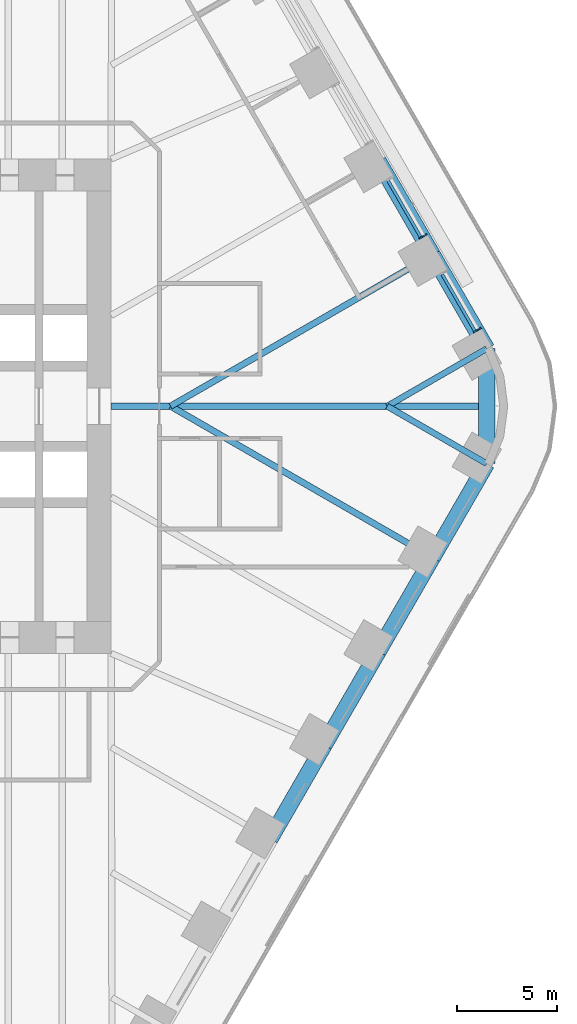
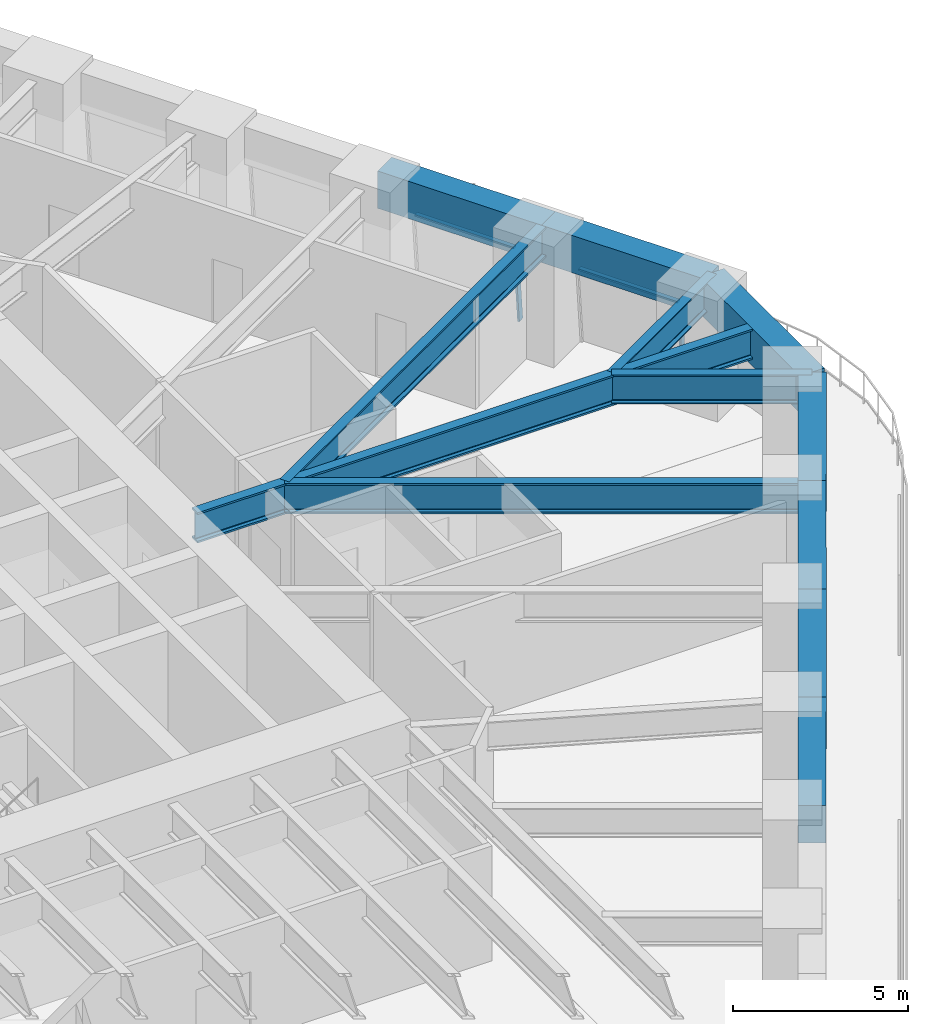
# One storey, part 12 of 24: 12 beams, 4 members, 2 elements without a shape of their own.
"""IFC4 building model written with IfcOpenShell, lengths in metres."""

from ifc_helpers import new_model, si_unit, direction, frame, origin, origin_2d, place, context, subcontext, project, spatial, rectangle, i_section, extrude, material, material_profile, profile_set, type_object, element, aggregate, save


model = new_model("IFC4")

# Units and contexts
model_context = context("Model", 3, precision=1e-05, world=origin(), true_north=direction((0.0, 1.0)))
body_context = subcontext(model_context, "Body", "Model", "MODEL_VIEW")
ifc_project = project(units=[si_unit("LENGTHUNIT", "METRE"), si_unit("AREAUNIT", "SQUARE_METRE"), si_unit("VOLUMEUNIT", "CUBIC_METRE"), si_unit("PLANEANGLEUNIT", "RADIAN"), si_unit("MASSUNIT", "GRAM", prefix="KILO")], contexts=[model_context])

# Site, building, storey
site_placement = place(None, origin())
site = spatial("IfcSite", under=ifc_project, at=site_placement, CompositionType="ELEMENT")
building_placement = place(site_placement, origin())
building = spatial("IfcBuilding", under=site, at=building_placement, Name="Tarfa Lantern Tower", CompositionType="ELEMENT")
storey_placement = place(building_placement, frame((0.0, 0.0, 69.699951171875)))
storey = spatial("IfcBuildingStorey", under=building, at=storey_placement, Name="L15", CompositionType="ELEMENT", Elevation=69.699951171875)

# Curtain wall, member
ifc_material_1 = material(Name="Aluminium framed curtain wall", Category="aluminium")
curtain_wall_type = type_object("IfcCurtainWallType", Name="CW1 CANTED GLAZING LOW ZONE 2700", PredefinedType="USERDEFINED", material=ifc_material_1)
curtain_wall_1_placement = place(storey_placement, origin())
curtain_wall_1 = element("IfcCurtainWall", 1, at=curtain_wall_1_placement, inside=storey, type_object=curtain_wall_type, Name="CW1 NE L15", ObjectType="CURTAIN WALL", PredefinedType="USERDEFINED")
ifc_material_2 = material(Name="Aluminium mullion", Category="aluminium")
ifc_material_profile_1 = material_profile(ifc_material_2, rectangle(XDim=0.06494140625, YDim=0.199951171875, at=origin_2d()), Name="AL MULLION 65x200")
ifc_profile_set_1 = profile_set([ifc_material_profile_1], Name="Aluminium mullion")
member_type_1 = type_object("IfcMemberType", Name="CWM1 MULLION 65x200", PredefinedType="MULLION", material=ifc_profile_set_1)
member_1_placement = place(storey_placement, frame((36.9248046875, 3.84423828125, 0.0), z_axis=(-0.079774955866, -0.04610020023, 0.995746317068), x_axis=(0.500342721131, -0.865827443207, 0.0)))
member_1 = element("IfcMember", 2, at=member_1_placement, type_object=member_type_1, Name="CW1 mullion 1", PredefinedType="MULLION", context=body_context, shape_type="SweptSolid", body=[
    extrude(rectangle(XDim=0.06494140625, YDim=0.199951171875, at=origin_2d()), origin(), (0.0, 0.0, 1.0), 2.71142578125),
])

curtain_wall_2_placement = place(storey_placement, origin())
curtain_wall_2 = element("IfcCurtainWall", 3, at=curtain_wall_2_placement, inside=storey, type_object=curtain_wall_type, Name="CW1 NE L15", ObjectType="CURTAIN WALL", PredefinedType="USERDEFINED")
member_2_placement = place(storey_placement, frame((34.230712890625, 8.5107421875, 0.0), z_axis=(-0.07986442134, -0.046099868913, 0.99573916077), x_axis=(0.499919672301, -0.866071776036, 0.0)))
member_2 = element("IfcMember", 4, at=member_2_placement, type_object=member_type_1, Name="CW1 mullion 1", PredefinedType="MULLION", context=body_context, shape_type="SweptSolid", body=[
    extrude(rectangle(XDim=0.06494140625, YDim=0.199951171875, at=origin_2d()), origin(), (0.0, 0.0, 1.0), 2.71142578125),
])

# Member
ifc_material_3 = material(Name="Aluminium transom", Category="aluminium")
ifc_material_profile_2 = material_profile(ifc_material_3, rectangle(XDim=0.14990234375, YDim=0.06494140625, at=origin_2d()), Name="AL TRANSOM 150x65")
ifc_profile_set_2 = profile_set([ifc_material_profile_2], Name="Aluminium transom")
member_type_2 = type_object("IfcMemberType", Name="CWT1 TRANSOM 150x65", PredefinedType="USERDEFINED", material=ifc_profile_set_2)
member_3_placement = place(storey_placement, frame((36.69482421875, 3.748779296875, 2.66748046875), z_axis=(-0.500022939057, 0.866012159509, 0.0), x_axis=(-0.866012159509, -0.500022939057, 0.0)))
member_3 = element("IfcMember", 5, at=member_3_placement, type_object=member_type_2, Name="CW1 transom 1.2", ObjectType="TRANSOM", PredefinedType="USERDEFINED", context=body_context, shape_type="SweptSolid", body=[
    extrude(rectangle(XDim=0.14990234375, YDim=0.06494140625, at=origin_2d()), origin(), (0.0, 0.0, 1.0), 3.258544921875),
])

aggregate(curtain_wall_1, [member_1, member_3])

member_4_placement = place(storey_placement, frame((34.00048828125, 8.41552734375, 2.66748046875), z_axis=(-0.500022939057, 0.866012159509, 0.0), x_axis=(-0.866012159509, -0.500022939057, 0.0)))
member_4 = element("IfcMember", 6, at=member_4_placement, type_object=member_type_2, Name="CW1 transom 1.2", ObjectType="TRANSOM", PredefinedType="USERDEFINED", context=body_context, shape_type="SweptSolid", body=[
    extrude(rectangle(XDim=0.14990234375, YDim=0.06494140625, at=origin_2d()), origin(), (0.0, 0.0, 1.0), 3.258544921875),
])

aggregate(curtain_wall_2, [member_2, member_4])

# Beams
ifc_material_4 = material(Name="Concrete C80/95", Category="concrete")
ifc_material_profile_3 = material_profile(ifc_material_4, rectangle(XDim=0.800048828125, YDim=1.300048828125, at=origin_2d()), Name="RC 800x1300")
ifc_profile_set_3 = profile_set([ifc_material_profile_3], Name="Concrete C80/95")
beam_type_1 = type_object("IfcBeamType", Name="EB1 RC 800x1300", PredefinedType="SPANDREL", material=ifc_profile_set_3)
beam_1_placement = place(storey_placement, frame((37.285400390625, 2.860107421875, 3.35009765625), z_axis=(-0.500017906299, 0.866015065331, 0.0), x_axis=(-0.866015065331, -0.500017906299, 0.0)))
element("IfcBeam", 7, at=beam_1_placement, inside=storey, type_object=beam_type_1, Name="Edge beam NE0", PredefinedType="SPANDREL", context=body_context, shape_type="SweptSolid", body=[
    extrude(rectangle(XDim=0.800048828125, YDim=1.300048828125, at=origin_2d()), origin(), (0.0, 0.0, 1.0), 5.388427734375),
])
beam_2_placement = place(storey_placement, frame((34.591064453125, 7.526611328125, 3.35009765625), z_axis=(-0.499998287579, 0.866026392449, 0.0), x_axis=(-0.866026392449, -0.499998287579, 0.0)))
element("IfcBeam", 8, at=beam_2_placement, inside=storey, type_object=beam_type_1, Name="Edge beam NE1", PredefinedType="SPANDREL", context=body_context, shape_type="SweptSolid", body=[
    extrude(rectangle(XDim=0.800048828125, YDim=1.300048828125, at=origin_2d()), origin(), (0.0, 0.0, 1.0), 5.388671875),
])
beam_3_placement = place(storey_placement, frame((26.508056640625, -21.526611328125, 3.35009765625), z_axis=(0.500017906299, 0.866015065331, 0.0), x_axis=(-0.866015065331, 0.500017906299, 0.0)))
element("IfcBeam", 9, at=beam_3_placement, inside=storey, type_object=beam_type_1, Name="Edge beam SE2", PredefinedType="SPANDREL", context=body_context, shape_type="SweptSolid", body=[
    extrude(rectangle(XDim=0.800048828125, YDim=1.300048828125, at=origin_2d()), origin(), (0.0, 0.0, 1.0), 5.388427734375),
])
for number, where, z_axis, x_axis, name in (
    (10, (29.202392578125, -16.860107421875, 3.35009765625), (0.499998287579, 0.866026392449, 0.0), (-0.866026392449, 0.499998287579, 0.0), "Edge beam SE3"),
    (11, (31.896728515625, -12.193359375, 3.35009765625), (0.499998287579, 0.866026392449, 0.0), (-0.866026392449, 0.499998287579, 0.0), "Edge beam SE4"),
):
    element("IfcBeam", number, at=place(storey_placement, frame(where, z_axis=z_axis, x_axis=x_axis)), inside=storey, type_object=beam_type_1, Name=name, PredefinedType="SPANDREL", context=body_context, shape_type="SweptSolid", body=[
        extrude(rectangle(XDim=0.800048828125, YDim=1.300048828125, at=origin_2d()), origin(), (0.0, 0.0, 1.0), 5.388671875),
    ])
beam_4_placement = place(storey_placement, frame((34.591064453125, -7.526611328125, 3.35009765625), z_axis=(0.500017906299, 0.866015065331, 0.0), x_axis=(-0.866015065331, 0.500017906299, 0.0)))
element("IfcBeam", 12, at=beam_4_placement, inside=storey, type_object=beam_type_1, Name="Edge beam SE5", PredefinedType="SPANDREL", context=body_context, shape_type="SweptSolid", body=[
    extrude(rectangle(XDim=0.800048828125, YDim=1.300048828125, at=origin_2d()), origin(), (0.0, 0.0, 1.0), 5.388427734375),
])
beam_5_placement = place(storey_placement, frame((37.285400390625, -2.860107421875, 3.35009765625), z_axis=(0.0, 1.0, 0.0), x_axis=(-1.0, 0.0, 0.0)))
element("IfcBeam", 13, at=beam_5_placement, inside=storey, type_object=beam_type_1, Name="Edge beam SE6", PredefinedType="SPANDREL", context=body_context, shape_type="SweptSolid", body=[
    extrude(rectangle(XDim=0.800048828125, YDim=1.300048828125, at=origin_2d()), origin(), (0.0, 0.0, 1.0), 5.72021484375),
])
ifc_material_5 = material(Name="Steel S460M", Category="steel")
ifc_material_profile_4 = material_profile(ifc_material_5, i_section(OverallWidth=0.302001953125, OverallDepth=1.008056640625, WebThickness=0.02099609375, FlangeThickness=0.0400390625, FilletRadius=0.030029296875, at=origin_2d()), Name="UB1016x305x349")
ifc_profile_set_4 = profile_set([ifc_material_profile_4], Name="Steel S460M")
beam_type_2 = type_object("IfcBeamType", Name="UB1016x305x349", PredefinedType="BEAM", material=ifc_profile_set_4)
for number, where, z_axis, x_axis, name in (
    (14, (37.285400390625, 2.860107421875, 3.49609375), (-0.866025668288, -0.499999541866, 0.0), (0.499999541866, -0.866025668288, 0.0), "Floor beam NE0"),
    (15, (37.285400390625, -2.860107421875, 3.49609375), (-0.866025668288, 0.499999541866, 0.0), (-0.499999541866, -0.866025668288, 0.0), "Floor beam SE6"),
):
    element("IfcBeam", number, at=place(storey_placement, frame(where, z_axis=z_axis, x_axis=x_axis)), inside=storey, type_object=beam_type_2, Name=name, PredefinedType="BEAM", context=body_context, shape_type="SweptSolid", body=[
        extrude(i_section(OverallWidth=0.302001953125, OverallDepth=1.008056640625, WebThickness=0.02099609375, FlangeThickness=0.0400390625, FilletRadius=0.030029296875, at=origin_2d()), origin(), (0.0, 0.0, 1.0), 5.72021484375),
    ])
ifc_material_profile_5 = material_profile(ifc_material_5, i_section(OverallWidth=0.314208984375, OverallDepth=1.055908203125, WebThickness=0.035888671875, FlangeThickness=0.06396484375, FilletRadius=0.030029296875, at=origin_2d()), Name="UB1016x305x584")
ifc_profile_set_5 = profile_set([ifc_material_profile_5], Name="Steel S460M")
beam_type_3 = type_object("IfcBeamType", Name="UB1016x305x584", PredefinedType="BEAM", material=ifc_profile_set_5)
beam_6_placement = place(storey_placement, frame((18.60009765625, 0.0, 3.47216796875), z_axis=(1.0, 0.0, 0.0), x_axis=(0.0, 1.0, 0.0)))
element("IfcBeam", 16, at=beam_6_placement, inside=storey, type_object=beam_type_3, Name="Hip girder E", PredefinedType="BEAM", context=body_context, shape_type="SweptSolid", body=[
    extrude(i_section(OverallWidth=0.314208984375, OverallDepth=1.055908203125, WebThickness=0.035888671875, FlangeThickness=0.06396484375, FilletRadius=0.030029296875, at=origin_2d()), origin(), (0.0, 0.0, 1.0), 18.685302734375),
])
for number, where, z_axis, x_axis, name in (
    (17, (34.591064453125, 7.526611328125, 3.47216796875), (-0.86602785945, -0.499995746638, 0.0), (0.499995746638, -0.86602785945, 0.0), "Floor beam NE1"),
    (18, (34.591064453125, -7.526611328125, 3.47216796875), (-0.86602785945, 0.499995746638, 0.0), (-0.499995746638, -0.86602785945, 0.0), "Floor beam SE5"),
):
    element("IfcBeam", number, at=place(storey_placement, frame(where, z_axis=z_axis, x_axis=x_axis)), inside=storey, type_object=beam_type_3, Name=name, PredefinedType="BEAM", context=body_context, shape_type="SweptSolid", body=[
        extrude(i_section(OverallWidth=0.314208984375, OverallDepth=1.055908203125, WebThickness=0.035888671875, FlangeThickness=0.06396484375, FilletRadius=0.030029296875, at=origin_2d()), origin(), (0.0, 0.0, 1.0), 15.053466796875),
    ])

save(model, "model.ifc")
